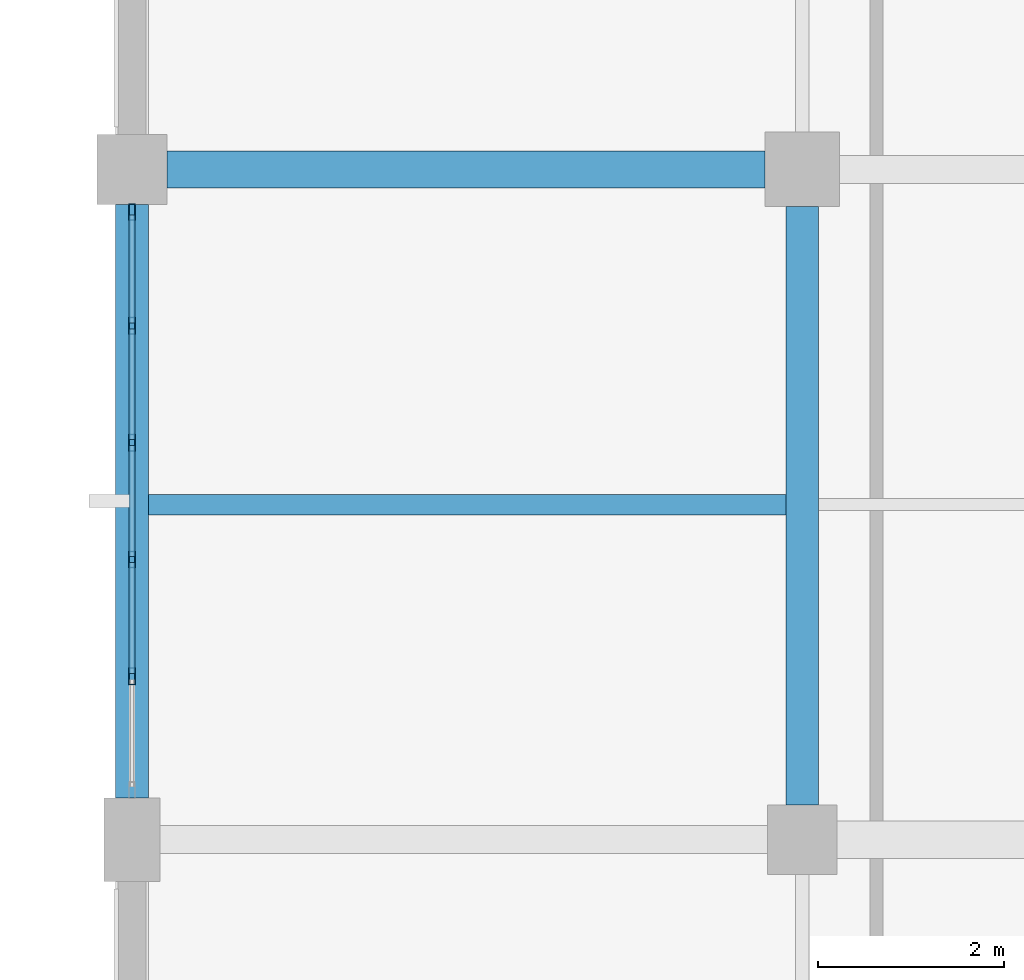
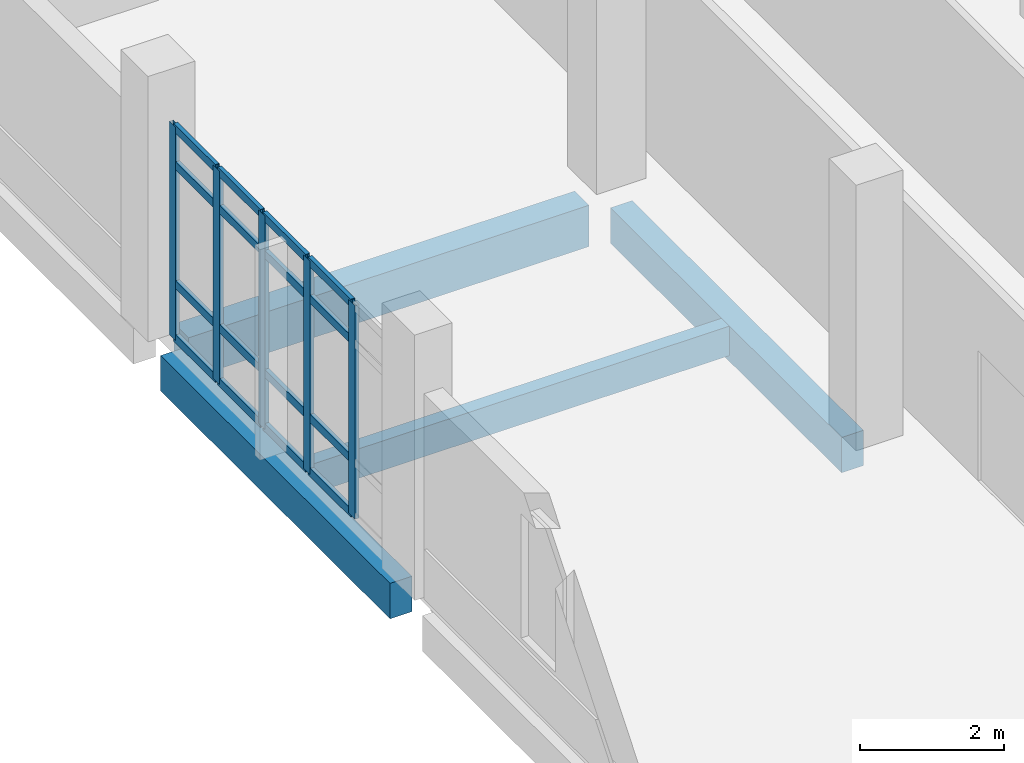
# One storey, part 15 of 134: 21 members, 4 beams, 1 element without a shape of its own.
"""IFC4 building model written with IfcOpenShell, lengths in metres."""

import ifcopenshell
import ifcopenshell.guid

model = None  # the IFC model being written
_history = None  # IfcOwnerHistory: only IFC2X3 demands one
_inside = {}  # id of a spatial element -> (the spatial element, [elements in it])
_under = {}  # id of a project, library or spatial element -> (it, [spatial elements below it])
_declared = {}  # id of a project -> (the project, [libraries it declares])
_typed = {}  # id of a type object -> (the type object, [elements of that type])
_made_of = {}  # id of a material, layer set ... -> (it, [elements and type objects made of it])


def new_model(schema):
    """Start an empty IFC model of exactly this schema.

    Asked for "IFC4X3", IfcOpenShell would pick the latest addendum, in which some entities
    have other attributes; the version numbers below select the first issue.
    IFC2X3 requires an IfcOwnerHistory on every rooted entity: one is made here for all.
    """
    global model, _history
    if schema == "IFC4X3":
        model = ifcopenshell.file(schema_version=(4, 3, 0, 0))
    else:
        model = ifcopenshell.file(schema=schema)
    _inside.clear()
    _under.clear()
    _declared.clear()
    _typed.clear()
    _made_of.clear()
    _history = None
    if model.schema == "IFC2X3":
        org = make("IfcOrganization", Name="unknown")
        user = make(
            "IfcPersonAndOrganization",
            ThePerson=make("IfcPerson", FamilyName="unknown"),
            TheOrganization=org,
        )
        app = make(
            "IfcApplication",
            ApplicationDeveloper=org,
            Version="unknown",
            ApplicationFullName="unknown",
            ApplicationIdentifier="unknown",
        )
        _history = make(
            "IfcOwnerHistory",
            OwningUser=user,
            OwningApplication=app,
            ChangeAction="ADDED",
            CreationDate=0,
        )
    return model


def make(cls, **values):
    """One entity of the class cls with the attributes given. An attribute that is None is left unset."""
    return model.create_entity(
        cls, **{name: value for name, value in values.items() if value is not None}
    )


def rooted(cls, **values):
    """An entity with a GlobalId (a new one), such as an element, a storey or a relation."""
    return make(cls, GlobalId=ifcopenshell.guid.new(), OwnerHistory=_history, **values)


def si_unit(unit_type, name, prefix=None):
    """IfcSIUnit, for example si_unit("LENGTHUNIT", "METRE", prefix="MILLI")."""
    return make("IfcSIUnit", UnitType=unit_type, Prefix=prefix, Name=name)


def assignment(units):
    """IfcUnitAssignment: the units of a project."""
    return None if units is None else make("IfcUnitAssignment", Units=units)


def point(xyz):
    """IfcCartesianPoint."""
    return None if xyz is None else make("IfcCartesianPoint", Coordinates=xyz)


def direction(xyz):
    """IfcDirection."""
    return None if xyz is None else make("IfcDirection", DirectionRatios=xyz)


def frame(location, z_axis=None, x_axis=None):
    """IfcAxis2Placement3D, a coordinate frame: its origin and axes. An axis left out is left unset."""
    return make(
        "IfcAxis2Placement3D",
        Location=point(location),
        Axis=direction(z_axis),
        RefDirection=direction(x_axis),
    )


def frame_2d(location, x_axis=None):
    """IfcAxis2Placement2D, a coordinate frame in the plane: its origin and x axis."""
    return make(
        "IfcAxis2Placement2D", Location=point(location), RefDirection=direction(x_axis)
    )


def origin():
    """The frame at (0, 0, 0) with its axes left unset."""
    return frame((0.0, 0.0, 0.0))


def origin_2d():
    """The frame at (0, 0) in the plane with its x axis left unset."""
    return frame_2d((0.0, 0.0))


def place(relative_to, where):
    """IfcLocalPlacement: puts the frame where relative to a parent placement (None: the world)."""
    return make(
        "IfcLocalPlacement", PlacementRelTo=relative_to, RelativePlacement=where
    )


def context(
    kind, dimensions, precision=None, world=None, true_north=None, identifier=None
):
    """IfcGeometricRepresentationContext, for example the 3D "Model" context."""
    return make(
        "IfcGeometricRepresentationContext",
        ContextIdentifier=identifier,
        ContextType=kind,
        CoordinateSpaceDimension=dimensions,
        Precision=precision,
        WorldCoordinateSystem=world,
        TrueNorth=true_north,
    )


def subcontext(parent, identifier, kind, view, scale=None):
    """IfcGeometricRepresentationSubContext, for example "Body" below "Model"."""
    return make(
        "IfcGeometricRepresentationSubContext",
        ContextIdentifier=identifier,
        ContextType=kind,
        ParentContext=parent,
        TargetScale=scale,
        TargetView=view,
    )


def project(units=None, contexts=None):
    """IfcProject with its units and contexts."""
    return rooted(
        "IfcProject",
        Name="project",
        RepresentationContexts=contexts,
        UnitsInContext=assignment(units),
    )


def spatial(cls, under=None, at=None, **own):
    """A site, building, storey or space (cls), placed at a placement, below another one or the project."""
    s = rooted(cls, ObjectPlacement=at, **own)
    if under is not None:
        _under.setdefault(under.id(), (under, []))[1].append(s)
    return s


def profile(cls, at=None, kind="AREA", **sizes):
    """A parametric profile (cls). Its sizes go by their IFC names, for example OverallWidth=200.0."""
    return make(cls, ProfileType=kind, Position=at, **sizes)


def rectangle(**sizes):
    """IfcRectangleProfileDef."""
    return profile("IfcRectangleProfileDef", **sizes)


def hollow_rectangle(**sizes):
    """IfcRectangleHollowProfileDef."""
    return profile("IfcRectangleHollowProfileDef", **sizes)


def extrude(swept, where, along, depth):
    """IfcExtrudedAreaSolid: the profile swept, set in the frame where, extruded along a direction by depth."""
    return make(
        "IfcExtrudedAreaSolid",
        SweptArea=swept,
        Position=where,
        ExtrudedDirection=direction(along),
        Depth=depth,
    )


def shape(context_of_items, identifier, shape_type, items):
    """IfcShapeRepresentation: the items that make up one representation, for example the "Body"."""
    return make(
        "IfcShapeRepresentation",
        ContextOfItems=context_of_items,
        RepresentationIdentifier=identifier,
        RepresentationType=shape_type,
        Items=items,
    )


def material(Name=None, Category=None):
    """IfcMaterial."""
    return make("IfcMaterial", Name=Name, Category=Category)


def material_profile(
    of_material, cross_section, Name=None, Category=None, Priority=None
):
    """IfcMaterialProfile: a cross section and its material."""
    return make(
        "IfcMaterialProfile",
        Name=Name,
        Material=of_material,
        Profile=cross_section,
        Priority=Priority,
        Category=Category,
    )


def profile_set(profiles, Name=None, composite=None):
    """IfcMaterialProfileSet."""
    return make(
        "IfcMaterialProfileSet",
        Name=Name,
        MaterialProfiles=profiles,
        CompositeProfile=composite,
    )


def made_of(thing, what):
    """Note that an element or type object is made of a material, layer set ...; save() writes the relation."""
    if what is not None:
        _made_of.setdefault(what.id(), (what, []))[1].append(thing)
    return thing


def type_object(cls, material=None, **own):
    """A type object (cls), such as IfcWallType, which elements share."""
    return made_of(rooted(cls, **own), material)


def element(
    cls,
    number,
    at=None,
    inside=None,
    cuts=None,
    type_object=None,
    material=None,
    context=None,
    identifier="Body",
    shape_type=None,
    held_by="IfcProductDefinitionShape",
    body=None,
    shapes=None,
    **own,
):
    """One element of the class cls, such as IfcWall. Its Tag is "e" and its number.

    at: its placement. inside: the storey or other place that contains it. cuts: it is an
    opening in that element (IfcRelVoidsElement). A single representation is given by context,
    identifier, shape_type and body (its items); several are given by shapes. held_by: the class
    of the entity that holds the representations. save() writes the other relations.
    """
    e = rooted(cls, Tag="e%d" % number, ObjectPlacement=at, **own)
    if body is not None:
        shapes = [shape(context, identifier, shape_type, body)]
    if shapes is not None:
        e.Representation = make(held_by, Representations=shapes)
    if inside is not None:
        _inside.setdefault(inside.id(), (inside, []))[1].append(e)
    if cuts is not None:
        rooted(
            "IfcRelVoidsElement", RelatingBuildingElement=cuts, RelatedOpeningElement=e
        )
    if type_object is not None:
        _typed.setdefault(type_object.id(), (type_object, []))[1].append(e)
    return made_of(e, material)


def aggregate(whole, parts):
    """IfcRelAggregates: a whole, such as a stair, and the parts it consists of."""
    return rooted("IfcRelAggregates", RelatingObject=whole, RelatedObjects=parts)


def save(model, path):
    """Write the relations noted so far, then the file.

    IfcRelAggregates (storeys below a building ...), IfcRelContainedInSpatialStructure (elements
    in a storey), IfcRelDefinesByType, IfcRelAssociatesMaterial and IfcRelDeclares: one each for
    every whole, place, type object, material and project.
    """
    for whole, parts in _under.values():
        aggregate(whole, parts)
    for where, things in _inside.values():
        rooted(
            "IfcRelContainedInSpatialStructure",
            RelatedElements=things,
            RelatingStructure=where,
        )
    for kind, things in _typed.values():
        rooted("IfcRelDefinesByType", RelatedObjects=things, RelatingType=kind)
    for what, things in _made_of.values():
        rooted("IfcRelAssociatesMaterial", RelatedObjects=things, RelatingMaterial=what)
    for by, libraries in _declared.values():
        rooted("IfcRelDeclares", RelatingContext=by, RelatedDefinitions=libraries)
    model.write(path)


model = new_model("IFC4")

# Units and contexts
model_context = context("Model", 3, precision=1e-05, world=origin(), true_north=direction((0.0, 1.0)))
body_context = subcontext(model_context, "Body", "Model", "MODEL_VIEW")
ifc_project = project(units=[si_unit("LENGTHUNIT", "METRE"), si_unit("AREAUNIT", "SQUARE_METRE"), si_unit("VOLUMEUNIT", "CUBIC_METRE"), si_unit("PLANEANGLEUNIT", "RADIAN"), si_unit("MASSUNIT", "GRAM", prefix="KILO")], contexts=[model_context])

# Site, building, storey
site_placement = place(None, origin())
site = spatial("IfcSite", under=ifc_project, at=site_placement, CompositionType="ELEMENT")
building_placement = place(site_placement, origin())
building = spatial("IfcBuilding", under=site, at=building_placement, Name="Kalluvel Institute of Natural Sciences", CompositionType="ELEMENT")
storey_placement = place(building_placement, frame((0.0, 0.0, 5.39990234375)))
storey = spatial("IfcBuildingStorey", under=building, at=storey_placement, Name="L01", CompositionType="ELEMENT", Elevation=5.39990234375)

# Beam
ifc_material_1 = material(Name="Concrete M40", Category="concrete")
ifc_material_profile_1 = material_profile(ifc_material_1, rectangle(XDim=0.35009765625, YDim=0.60009765625, at=origin_2d()), Name="RCB 350x600")
ifc_profile_set_1 = profile_set([ifc_material_profile_1], Name="Concrete M40")
beam_type_1 = type_object("IfcBeamType", Name="BM-RC350x600", PredefinedType="BEAM", material=ifc_profile_set_1)
beam_1_placement = place(storey_placement, frame((21.199951171875, 28.77490234375, -0.599853515625), z_axis=(0.0, 1.0, 0.0), x_axis=(-1.0, 0.0, 0.0)))
element("IfcBeam", 1, at=beam_1_placement, inside=storey, type_object=beam_type_1, Name="L01 girder GIR-L01-NS-X212-Y284", PredefinedType="BEAM", context=body_context, shape_type="SweptSolid", body=[
    extrude(rectangle(XDim=0.35009765625, YDim=0.60009765625, at=origin_2d()), origin(), (0.0, 0.0, 1.0), 6.425048828125),
])

# Curtain wall, members
ifc_material_2 = material(Name="Aluminium AW-6063 T6", Category="aluminium")
curtain_wall_type = type_object("IfcCurtainWallType", Name="CW-DRY-45", PredefinedType="USERDEFINED", material=ifc_material_2)
curtain_wall_placement = place(storey_placement, origin())
curtain_wall = element("IfcCurtainWall", 2, at=curtain_wall_placement, inside=storey, type_object=curtain_wall_type, Name="L01 Gothic lancet curtain wall CWA-L01-X140-Y289", ObjectType="UNITISED LANCET FACADE", PredefinedType="USERDEFINED")
ifc_material_profile_2 = material_profile(ifc_material_2, hollow_rectangle(XDim=0.06494140625, YDim=0.179931640625, WallThickness=0.00439453125, at=origin_2d()), Name="CWM 65x180")
ifc_profile_set_2 = profile_set([ifc_material_profile_2], Name="Aluminium AW-6063 T6")
member_type_1 = type_object("IfcMemberType", Name="CWM-65x180", PredefinedType="MULLION", material=ifc_profile_set_2)
member_1_placement = place(storey_placement, frame((14.0, 30.155029296875, 0.0), z_axis=(0.0, 0.0, 1.0), x_axis=(-1.0, 0.0, 0.0)))
member_1 = element("IfcMember", 3, at=member_1_placement, type_object=member_type_1, Name="CW-03 mullion 2", PredefinedType="MULLION", context=body_context, shape_type="SweptSolid", body=[
    extrude(hollow_rectangle(XDim=0.06494140625, YDim=0.179931640625, WallThickness=0.00439453125, at=origin_2d()), origin(), (0.0, 0.0, 1.0), 3.6201171875),
])
member_2_placement = place(storey_placement, frame((14.0, 31.409912109375, 0.0), z_axis=(0.0, 0.0, 1.0), x_axis=(-1.0, 0.0, 0.0)))
member_2 = element("IfcMember", 4, at=member_2_placement, type_object=member_type_1, Name="CW-03 mullion 3", PredefinedType="MULLION", context=body_context, shape_type="SweptSolid", body=[
    extrude(hollow_rectangle(XDim=0.06494140625, YDim=0.179931640625, WallThickness=0.00439453125, at=origin_2d()), origin(), (0.0, 0.0, 1.0), 3.6201171875),
])
member_3_placement = place(storey_placement, frame((14.0, 32.6650390625, 0.0), z_axis=(0.0, 0.0, 1.0), x_axis=(-1.0, 0.0, 0.0)))
member_3 = element("IfcMember", 5, at=member_3_placement, type_object=member_type_1, Name="CW-03 mullion 4", PredefinedType="MULLION", context=body_context, shape_type="SweptSolid", body=[
    extrude(hollow_rectangle(XDim=0.06494140625, YDim=0.179931640625, WallThickness=0.00439453125, at=origin_2d()), origin(), (0.0, 0.0, 1.0), 3.6201171875),
])
member_4_placement = place(storey_placement, frame((14.0, 33.919921875, 0.0), z_axis=(0.0, 0.0, 1.0), x_axis=(-1.0, 0.0, 0.0)))
member_4 = element("IfcMember", 6, at=member_4_placement, type_object=member_type_1, Name="CW-03 mullion 5", PredefinedType="MULLION", context=body_context, shape_type="SweptSolid", body=[
    extrude(hollow_rectangle(XDim=0.06494140625, YDim=0.179931640625, WallThickness=0.00439453125, at=origin_2d()), origin(), (0.0, 0.0, 1.0), 3.6201171875),
])
member_5_placement = place(storey_placement, frame((14.0, 35.142578125, 0.0), z_axis=(0.0, 0.0, 1.0), x_axis=(-1.0, 0.0, 0.0)))
member_5 = element("IfcMember", 7, at=member_5_placement, type_object=member_type_1, Name="CW-03 mullion 6", PredefinedType="MULLION", context=body_context, shape_type="SweptSolid", body=[
    extrude(hollow_rectangle(XDim=0.06494140625, YDim=0.179931640625, WallThickness=0.00439453125, at=origin_2d()), origin(), (0.0, 0.0, 1.0), 3.6201171875),
])
ifc_material_profile_3 = material_profile(ifc_material_2, hollow_rectangle(XDim=0.06494140625, YDim=0.139892578125, WallThickness=0.00439453125, at=origin_2d()), Name="CWT 65x140")
ifc_profile_set_3 = profile_set([ifc_material_profile_3], Name="Aluminium AW-6063 T6")
member_type_2 = type_object("IfcMemberType", Name="CWT-65x140", PredefinedType="USERDEFINED", material=ifc_profile_set_3)
member_6_placement = place(storey_placement, frame((14.0, 30.1875, 0.03271484375), z_axis=(0.0, 1.0, 0.0), x_axis=(-1.0, 0.0, 0.0)))
member_6 = element("IfcMember", 8, at=member_6_placement, type_object=member_type_2, Name="CW-03 transom 2.1", ObjectType="TRANSOM", PredefinedType="USERDEFINED", context=body_context, shape_type="SweptSolid", body=[
    extrude(hollow_rectangle(XDim=0.06494140625, YDim=0.139892578125, WallThickness=0.00439453125, at=origin_2d()), origin(), (0.0, 0.0, 1.0), 1.18994140625),
])
member_7_placement = place(storey_placement, frame((14.0, 30.1875, 0.9501953125), z_axis=(0.0, 1.0, 0.0), x_axis=(-1.0, 0.0, 0.0)))
member_7 = element("IfcMember", 9, at=member_7_placement, type_object=member_type_2, Name="CW-03 transom 2.2", ObjectType="TRANSOM", PredefinedType="USERDEFINED", context=body_context, shape_type="SweptSolid", body=[
    extrude(hollow_rectangle(XDim=0.06494140625, YDim=0.139892578125, WallThickness=0.00439453125, at=origin_2d()), origin(), (0.0, 0.0, 1.0), 1.18994140625),
])
member_8_placement = place(storey_placement, frame((14.0, 30.1875, 2.97021484375), z_axis=(0.0, 1.0, 0.0), x_axis=(-1.0, 0.0, 0.0)))
member_8 = element("IfcMember", 10, at=member_8_placement, type_object=member_type_2, Name="CW-03 transom 2.3", ObjectType="TRANSOM", PredefinedType="USERDEFINED", context=body_context, shape_type="SweptSolid", body=[
    extrude(hollow_rectangle(XDim=0.06494140625, YDim=0.139892578125, WallThickness=0.00439453125, at=origin_2d()), origin(), (0.0, 0.0, 1.0), 1.18994140625),
])
member_9_placement = place(storey_placement, frame((14.0, 30.1875, 3.587646484375), z_axis=(0.0, 1.0, 0.0), x_axis=(-1.0, 0.0, 0.0)))
member_9 = element("IfcMember", 11, at=member_9_placement, type_object=member_type_2, Name="CW-03 transom 2.4", ObjectType="TRANSOM", PredefinedType="USERDEFINED", context=body_context, shape_type="SweptSolid", body=[
    extrude(hollow_rectangle(XDim=0.06494140625, YDim=0.139892578125, WallThickness=0.00439453125, at=origin_2d()), origin(), (0.0, 0.0, 1.0), 1.18994140625),
])
member_10_placement = place(storey_placement, frame((14.0, 31.4423828125, 0.03271484375), z_axis=(0.0, 1.0, 0.0), x_axis=(-1.0, 0.0, 0.0)))
member_10 = element("IfcMember", 12, at=member_10_placement, type_object=member_type_2, Name="CW-03 transom 3.1", ObjectType="TRANSOM", PredefinedType="USERDEFINED", context=body_context, shape_type="SweptSolid", body=[
    extrude(hollow_rectangle(XDim=0.06494140625, YDim=0.139892578125, WallThickness=0.00439453125, at=origin_2d()), origin(), (0.0, 0.0, 1.0), 1.190185546875),
])
member_11_placement = place(storey_placement, frame((14.0, 31.4423828125, 0.9501953125), z_axis=(0.0, 1.0, 0.0), x_axis=(-1.0, 0.0, 0.0)))
member_11 = element("IfcMember", 13, at=member_11_placement, type_object=member_type_2, Name="CW-03 transom 3.2", ObjectType="TRANSOM", PredefinedType="USERDEFINED", context=body_context, shape_type="SweptSolid", body=[
    extrude(hollow_rectangle(XDim=0.06494140625, YDim=0.139892578125, WallThickness=0.00439453125, at=origin_2d()), origin(), (0.0, 0.0, 1.0), 1.190185546875),
])
member_12_placement = place(storey_placement, frame((14.0, 31.4423828125, 2.97021484375), z_axis=(0.0, 1.0, 0.0), x_axis=(-1.0, 0.0, 0.0)))
member_12 = element("IfcMember", 14, at=member_12_placement, type_object=member_type_2, Name="CW-03 transom 3.3", ObjectType="TRANSOM", PredefinedType="USERDEFINED", context=body_context, shape_type="SweptSolid", body=[
    extrude(hollow_rectangle(XDim=0.06494140625, YDim=0.139892578125, WallThickness=0.00439453125, at=origin_2d()), origin(), (0.0, 0.0, 1.0), 1.190185546875),
])
member_13_placement = place(storey_placement, frame((14.0, 31.4423828125, 3.587646484375), z_axis=(0.0, 1.0, 0.0), x_axis=(-1.0, 0.0, 0.0)))
member_13 = element("IfcMember", 15, at=member_13_placement, type_object=member_type_2, Name="CW-03 transom 3.4", ObjectType="TRANSOM", PredefinedType="USERDEFINED", context=body_context, shape_type="SweptSolid", body=[
    extrude(hollow_rectangle(XDim=0.06494140625, YDim=0.139892578125, WallThickness=0.00439453125, at=origin_2d()), origin(), (0.0, 0.0, 1.0), 1.190185546875),
])
member_14_placement = place(storey_placement, frame((14.0, 32.697509765625, 0.03271484375), z_axis=(0.0, 1.0, 0.0), x_axis=(-1.0, 0.0, 0.0)))
member_14 = element("IfcMember", 16, at=member_14_placement, type_object=member_type_2, Name="CW-03 transom 4.1", ObjectType="TRANSOM", PredefinedType="USERDEFINED", context=body_context, shape_type="SweptSolid", body=[
    extrude(hollow_rectangle(XDim=0.06494140625, YDim=0.139892578125, WallThickness=0.00439453125, at=origin_2d()), origin(), (0.0, 0.0, 1.0), 1.18994140625),
])
member_15_placement = place(storey_placement, frame((14.0, 32.697509765625, 0.9501953125), z_axis=(0.0, 1.0, 0.0), x_axis=(-1.0, 0.0, 0.0)))
member_15 = element("IfcMember", 17, at=member_15_placement, type_object=member_type_2, Name="CW-03 transom 4.2", ObjectType="TRANSOM", PredefinedType="USERDEFINED", context=body_context, shape_type="SweptSolid", body=[
    extrude(hollow_rectangle(XDim=0.06494140625, YDim=0.139892578125, WallThickness=0.00439453125, at=origin_2d()), origin(), (0.0, 0.0, 1.0), 1.18994140625),
])
member_16_placement = place(storey_placement, frame((14.0, 32.697509765625, 2.97021484375), z_axis=(0.0, 1.0, 0.0), x_axis=(-1.0, 0.0, 0.0)))
member_16 = element("IfcMember", 18, at=member_16_placement, type_object=member_type_2, Name="CW-03 transom 4.3", ObjectType="TRANSOM", PredefinedType="USERDEFINED", context=body_context, shape_type="SweptSolid", body=[
    extrude(hollow_rectangle(XDim=0.06494140625, YDim=0.139892578125, WallThickness=0.00439453125, at=origin_2d()), origin(), (0.0, 0.0, 1.0), 1.18994140625),
])
member_17_placement = place(storey_placement, frame((14.0, 32.697509765625, 3.587646484375), z_axis=(0.0, 1.0, 0.0), x_axis=(-1.0, 0.0, 0.0)))
member_17 = element("IfcMember", 19, at=member_17_placement, type_object=member_type_2, Name="CW-03 transom 4.4", ObjectType="TRANSOM", PredefinedType="USERDEFINED", context=body_context, shape_type="SweptSolid", body=[
    extrude(hollow_rectangle(XDim=0.06494140625, YDim=0.139892578125, WallThickness=0.00439453125, at=origin_2d()), origin(), (0.0, 0.0, 1.0), 1.18994140625),
])
member_18_placement = place(storey_placement, frame((14.0, 33.952392578125, 0.03271484375), z_axis=(0.0, 1.0, 0.0), x_axis=(-1.0, 0.0, 0.0)))
member_18 = element("IfcMember", 20, at=member_18_placement, type_object=member_type_2, Name="CW-03 transom 5.1", ObjectType="TRANSOM", PredefinedType="USERDEFINED", context=body_context, shape_type="SweptSolid", body=[
    extrude(hollow_rectangle(XDim=0.06494140625, YDim=0.139892578125, WallThickness=0.00439453125, at=origin_2d()), origin(), (0.0, 0.0, 1.0), 1.15771484375),
])
member_19_placement = place(storey_placement, frame((14.0, 33.952392578125, 0.9501953125), z_axis=(0.0, 1.0, 0.0), x_axis=(-1.0, 0.0, 0.0)))
member_19 = element("IfcMember", 21, at=member_19_placement, type_object=member_type_2, Name="CW-03 transom 5.2", ObjectType="TRANSOM", PredefinedType="USERDEFINED", context=body_context, shape_type="SweptSolid", body=[
    extrude(hollow_rectangle(XDim=0.06494140625, YDim=0.139892578125, WallThickness=0.00439453125, at=origin_2d()), origin(), (0.0, 0.0, 1.0), 1.15771484375),
])
member_20_placement = place(storey_placement, frame((14.0, 33.952392578125, 2.97021484375), z_axis=(0.0, 1.0, 0.0), x_axis=(-1.0, 0.0, 0.0)))
member_20 = element("IfcMember", 22, at=member_20_placement, type_object=member_type_2, Name="CW-03 transom 5.3", ObjectType="TRANSOM", PredefinedType="USERDEFINED", context=body_context, shape_type="SweptSolid", body=[
    extrude(hollow_rectangle(XDim=0.06494140625, YDim=0.139892578125, WallThickness=0.00439453125, at=origin_2d()), origin(), (0.0, 0.0, 1.0), 1.15771484375),
])
member_21_placement = place(storey_placement, frame((14.0, 33.952392578125, 3.587646484375), z_axis=(0.0, 1.0, 0.0), x_axis=(-1.0, 0.0, 0.0)))
member_21 = element("IfcMember", 23, at=member_21_placement, type_object=member_type_2, Name="CW-03 transom 5.4", ObjectType="TRANSOM", PredefinedType="USERDEFINED", context=body_context, shape_type="SweptSolid", body=[
    extrude(hollow_rectangle(XDim=0.06494140625, YDim=0.139892578125, WallThickness=0.00439453125, at=origin_2d()), origin(), (0.0, 0.0, 1.0), 1.15771484375),
])
aggregate(curtain_wall, [member_1, member_2, member_3, member_4, member_5, member_6, member_7, member_8, member_9, member_10, member_11, member_12, member_13, member_14, member_15, member_16, member_17, member_18, member_19, member_20, member_21])

# Beams
ifc_material_profile_4 = material_profile(ifc_material_1, rectangle(XDim=0.35009765625, YDim=0.60009765625, at=origin_2d()), Name="RCB 350x600")
ifc_profile_set_4 = profile_set([ifc_material_profile_4], Name="Concrete M40")
beam_type_2 = type_object("IfcBeamType", Name="SP-RC350x600", PredefinedType="SPANDREL", material=ifc_profile_set_4)
beam_2_placement = place(storey_placement, frame((14.0, 28.85009765625, -0.599853515625), z_axis=(0.0, 1.0, 0.0), x_axis=(-1.0, 0.0, 0.0)))
element("IfcBeam", 24, at=beam_2_placement, inside=storey, type_object=beam_type_2, Name="L01 girder GIR-L01-NS-X140-Y284", PredefinedType="SPANDREL", context=body_context, shape_type="SweptSolid", body=[
    extrude(rectangle(XDim=0.35009765625, YDim=0.60009765625, at=origin_2d()), origin(), (0.0, 0.0, 1.0), 6.375),
])
ifc_material_profile_5 = material_profile(ifc_material_1, rectangle(XDim=0.39990234375, YDim=0.699951171875, at=origin_2d()), Name="RCB 400x700")
ifc_profile_set_5 = profile_set([ifc_material_profile_5], Name="Concrete M40")
beam_type_3 = type_object("IfcBeamType", Name="SP-RC400x700", PredefinedType="SPANDREL", material=ifc_profile_set_5)
beam_3_placement = place(storey_placement, frame((14.375, 35.60009765625, -0.64990234375), z_axis=(1.0, 0.0, 0.0), x_axis=(0.0, 1.0, 0.0)))
element("IfcBeam", 25, at=beam_3_placement, inside=storey, type_object=beam_type_3, Name="L01 girder GIR-L01-EW-X140-Y356", PredefinedType="SPANDREL", context=body_context, shape_type="SweptSolid", body=[
    extrude(rectangle(XDim=0.39990234375, YDim=0.699951171875, at=origin_2d()), origin(), (0.0, 0.0, 1.0), 6.425048828125),
])
ifc_material_profile_6 = material_profile(ifc_material_1, rectangle(XDim=0.219970703125, YDim=0.5, at=origin_2d()), Name="WAF 220x500")
ifc_profile_set_6 = profile_set([ifc_material_profile_6], Name="Concrete M40")
beam_type_4 = type_object("IfcBeamType", Name="WJ-220x500", PredefinedType="JOIST", material=ifc_profile_set_6)
beam_4_placement = place(storey_placement, frame((14.175048828125, 32.0, -0.5498046875), z_axis=(1.0, 0.0, 0.0), x_axis=(0.0, 1.0, 0.0)))
element("IfcBeam", 26, at=beam_4_placement, inside=storey, type_object=beam_type_4, Name="L01 floor rib RIB-L01-0631", PredefinedType="JOIST", context=body_context, shape_type="SweptSolid", body=[
    extrude(rectangle(XDim=0.219970703125, YDim=0.5, at=origin_2d()), origin(), (0.0, 0.0, 1.0), 6.849853515625),
])

save(model, "model.ifc")
